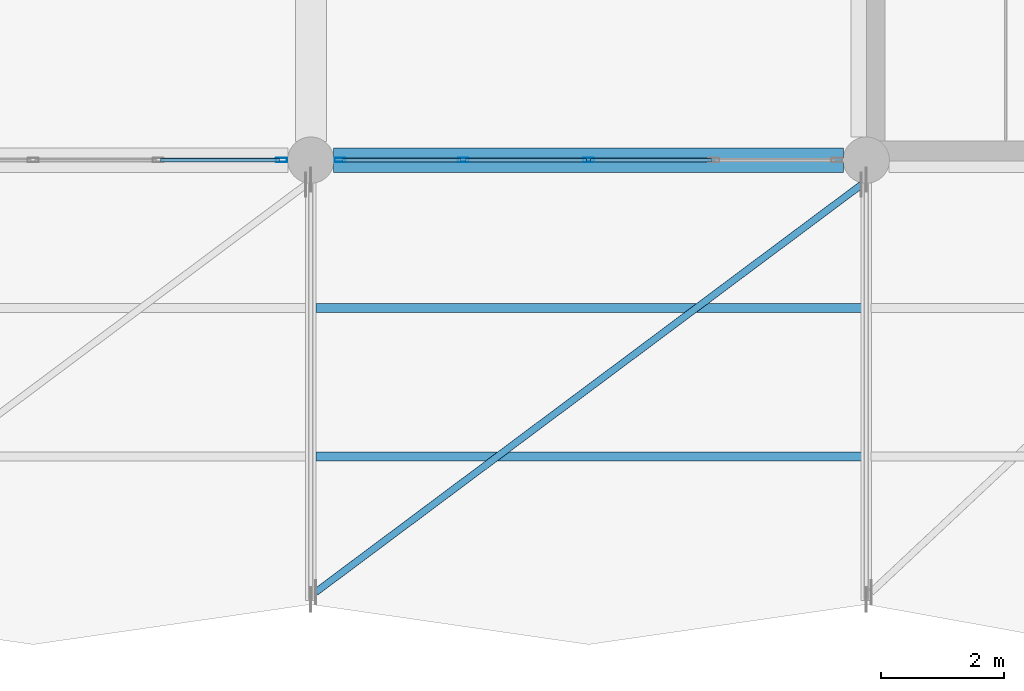
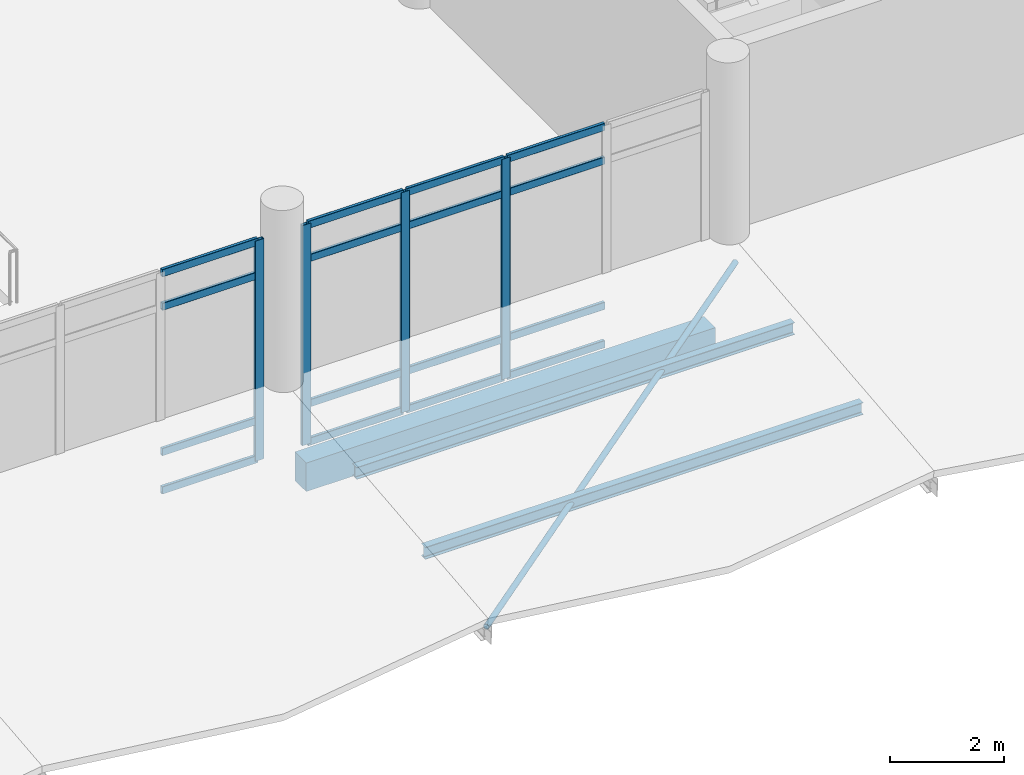
# One storey, part 39 of 180: 21 members, 3 beams, 2 elements without a shape of their own.
"""IFC4 building model written with IfcOpenShell, lengths in metres."""

from ifc_helpers import new_model, si_unit, direction, frame, origin, origin_2d, place, context, subcontext, project, spatial, rectangle, hollow_rectangle, hollow_circle, i_section, extrude, material, material_profile, profile_set, type_object, element, aggregate, save


model = new_model("IFC4")

# Units and contexts
model_context = context("Model", 3, precision=1e-05, world=origin(), true_north=direction((0.0, 1.0)))
body_context = subcontext(model_context, "Body", "Model", "MODEL_VIEW")
ifc_project = project(units=[si_unit("LENGTHUNIT", "METRE"), si_unit("AREAUNIT", "SQUARE_METRE"), si_unit("VOLUMEUNIT", "CUBIC_METRE"), si_unit("PLANEANGLEUNIT", "RADIAN"), si_unit("MASSUNIT", "GRAM", prefix="KILO")], contexts=[model_context])

# Site, building, storey
site_placement = place(None, origin())
site = spatial("IfcSite", under=ifc_project, at=site_placement, CompositionType="ELEMENT")
building_placement = place(site_placement, origin())
building = spatial("IfcBuilding", under=site, at=building_placement, Name="Lusvemor Sports Hall", CompositionType="ELEMENT")
storey_placement = place(building_placement, frame((0.0, 0.0, 5.39990234375)))
storey = spatial("IfcBuildingStorey", under=building, at=storey_placement, Name="L01", CompositionType="ELEMENT", Elevation=5.39990234375)

# Member
ifc_material_1 = material(Name="Steel S355", Category="steel")
ifc_material_profile_1 = material_profile(ifc_material_1, hollow_circle(Radius=0.05712890625, WallThickness=0.00634765625, at=origin_2d()), Name="CHS114.3x6.3")
ifc_profile_set_1 = profile_set([ifc_material_profile_1], Name="Steel S355")
member_type_1 = type_object("IfcMemberType", Name="BRACE_CANOPY_114", PredefinedType="BRACE", material=ifc_profile_set_1)
member_1_placement = place(storey_placement, frame((102.679931640625, 0.199951171875, 0.4736328125), z_axis=(0.799750589505, 0.597101754721, 0.062197179156), x_axis=(-0.59826005728, 0.801302005403, 0.0)))
element("IfcMember", 1, at=member_1_placement, inside=storey, type_object=member_type_1, Name="Canopy Wind Brace 11", PredefinedType="BRACE", context=body_context, shape_type="SweptSolid", body=[
    extrude(hollow_circle(Radius=0.05712890625, WallThickness=0.00634765625, at=origin_2d()), origin(), (0.0, 0.0, 1.0), 11.053466796875),
])

# Curtain wall, member
ifc_material_2 = material(Name="Thermally broken bronze-anodized aluminium", Category="aluminium")
curtain_wall_type = type_object("IfcCurtainWallType", Name="CW_FOYER_A", PredefinedType="NOTDEFINED", material=ifc_material_2)
curtain_wall_1_placement = place(storey_placement, origin())
curtain_wall_1 = element("IfcCurtainWall", 2, at=curtain_wall_1_placement, inside=storey, type_object=curtain_wall_type, Name="Curtain Wall CW-V4S-L01-2", PredefinedType="NOTDEFINED")
ifc_material_3 = material(Name="Thermally broken bronze-anodized aluminium", Category="aluminium")
ifc_material_profile_2 = material_profile(ifc_material_3, hollow_rectangle(XDim=0.070068359375, YDim=0.179931640625, WallThickness=0.0048828125, InnerFilletRadius=0.0048828125, OuterFilletRadius=0.010009765625, at=origin_2d()), Name="CWMUL180x70x5")
ifc_profile_set_2 = profile_set([ifc_material_profile_2], Name="Thermally broken bronze-anodized aluminium")
member_type_2 = type_object("IfcMemberType", Name="CW_MUL_A", PredefinedType="MULLION", material=ifc_profile_set_2)
member_2_placement = place(storey_placement, frame((102.125, 7.199951171875, 0.0), z_axis=(0.0, 0.0, 1.0), x_axis=(0.0, -1.0, 0.0)))
member_2 = element("IfcMember", 3, at=member_2_placement, type_object=member_type_2, Name="CW01 mullion 1", PredefinedType="MULLION", context=body_context, shape_type="SweptSolid", body=[
    extrude(hollow_rectangle(XDim=0.070068359375, YDim=0.179931640625, WallThickness=0.0048828125, InnerFilletRadius=0.0048828125, OuterFilletRadius=0.010009765625, at=origin_2d()), origin(), (0.0, 0.0, 1.0), 4.7001953125),
])

# Curtain wall, members
curtain_wall_2_placement = place(storey_placement, origin())
curtain_wall_2 = element("IfcCurtainWall", 4, at=curtain_wall_2_placement, inside=storey, type_object=curtain_wall_type, Name="Curtain Wall CW-V4S-L01-3", PredefinedType="NOTDEFINED")
member_3_placement = place(storey_placement, frame((107.10009765625, 7.199951171875, 0.0), z_axis=(0.0, 0.0, 1.0), x_axis=(0.0, -1.0, 0.0)))
member_3 = element("IfcMember", 5, at=member_3_placement, type_object=member_type_2, Name="CW01 mullion 3", PredefinedType="MULLION", context=body_context, shape_type="SweptSolid", body=[
    extrude(hollow_rectangle(XDim=0.070068359375, YDim=0.179931640625, WallThickness=0.0048828125, InnerFilletRadius=0.0048828125, OuterFilletRadius=0.010009765625, at=origin_2d()), origin(), (0.0, 0.0, 1.0), 4.7001953125),
])
member_4_placement = place(storey_placement, frame((105.070068359375, 7.199951171875, 0.0), z_axis=(0.0, 0.0, 1.0), x_axis=(0.0, -1.0, 0.0)))
member_4 = element("IfcMember", 6, at=member_4_placement, type_object=member_type_2, Name="CW01 mullion 4", PredefinedType="MULLION", context=body_context, shape_type="SweptSolid", body=[
    extrude(hollow_rectangle(XDim=0.070068359375, YDim=0.179931640625, WallThickness=0.0048828125, InnerFilletRadius=0.0048828125, OuterFilletRadius=0.010009765625, at=origin_2d()), origin(), (0.0, 0.0, 1.0), 4.7001953125),
])
member_5_placement = place(storey_placement, frame((103.074951171875, 7.199951171875, 0.0), z_axis=(0.0, 0.0, 1.0), x_axis=(0.0, -1.0, 0.0)))
member_5 = element("IfcMember", 7, at=member_5_placement, type_object=member_type_2, Name="CW01 mullion 5", PredefinedType="MULLION", context=body_context, shape_type="SweptSolid", body=[
    extrude(hollow_rectangle(XDim=0.070068359375, YDim=0.179931640625, WallThickness=0.0048828125, InnerFilletRadius=0.0048828125, OuterFilletRadius=0.010009765625, at=origin_2d()), origin(), (0.0, 0.0, 1.0), 4.7001953125),
])

# Member
ifc_material_4 = material(Name="Thermally broken bronze-anodized aluminium", Category="aluminium")
ifc_material_profile_3 = material_profile(ifc_material_4, hollow_rectangle(XDim=0.06494140625, YDim=0.159912109375, WallThickness=0.00390625, InnerFilletRadius=0.00390625, OuterFilletRadius=0.008056640625, at=origin_2d()), Name="CWTRN160x65x4")
ifc_profile_set_3 = profile_set([ifc_material_profile_3], Name="Thermally broken bronze-anodized aluminium")
member_type_3 = type_object("IfcMemberType", Name="CW_TRN_A", PredefinedType="USERDEFINED", material=ifc_profile_set_3)
member_6_placement = place(storey_placement, frame((102.090087890625, 7.199951171875, 0.03271484375), z_axis=(-1.0, 0.0, 0.0), x_axis=(0.0, -1.0, 0.0)))
member_6 = element("IfcMember", 8, at=member_6_placement, type_object=member_type_3, Name="CW01 transom 1.1", ObjectType="TRANSOM", PredefinedType="USERDEFINED", context=body_context, shape_type="SweptSolid", body=[
    extrude(hollow_rectangle(XDim=0.06494140625, YDim=0.159912109375, WallThickness=0.00390625, InnerFilletRadius=0.00390625, OuterFilletRadius=0.008056640625, at=origin_2d()), origin(), (0.0, 0.0, 1.0), 1.925048828125),
])

member_7_placement = place(storey_placement, frame((102.090087890625, 7.199951171875, 0.85009765625), z_axis=(-1.0, 0.0, 0.0), x_axis=(0.0, -1.0, 0.0)))
member_7 = element("IfcMember", 9, at=member_7_placement, type_object=member_type_3, Name="CW01 transom 1.2", ObjectType="TRANSOM", PredefinedType="USERDEFINED", context=body_context, shape_type="SweptSolid", body=[
    extrude(hollow_rectangle(XDim=0.06494140625, YDim=0.159912109375, WallThickness=0.00390625, InnerFilletRadius=0.00390625, OuterFilletRadius=0.008056640625, at=origin_2d()), origin(), (0.0, 0.0, 1.0), 1.925048828125),
])

member_8_placement = place(storey_placement, frame((102.090087890625, 7.199951171875, 3.9501953125), z_axis=(-1.0, 0.0, 0.0), x_axis=(0.0, -1.0, 0.0)))
member_8 = element("IfcMember", 10, at=member_8_placement, type_object=member_type_3, Name="CW01 transom 1.3", ObjectType="TRANSOM", PredefinedType="USERDEFINED", context=body_context, shape_type="SweptSolid", body=[
    extrude(hollow_rectangle(XDim=0.06494140625, YDim=0.159912109375, WallThickness=0.00390625, InnerFilletRadius=0.00390625, OuterFilletRadius=0.008056640625, at=origin_2d()), origin(), (0.0, 0.0, 1.0), 1.925048828125),
])

member_9_placement = place(storey_placement, frame((102.090087890625, 7.199951171875, 4.66748046875), z_axis=(-1.0, 0.0, 0.0), x_axis=(0.0, -1.0, 0.0)))
member_9 = element("IfcMember", 11, at=member_9_placement, type_object=member_type_3, Name="CW01 transom 1.4", ObjectType="TRANSOM", PredefinedType="USERDEFINED", context=body_context, shape_type="SweptSolid", body=[
    extrude(hollow_rectangle(XDim=0.06494140625, YDim=0.159912109375, WallThickness=0.00390625, InnerFilletRadius=0.00390625, OuterFilletRadius=0.008056640625, at=origin_2d()), origin(), (0.0, 0.0, 1.0), 1.925048828125),
])

aggregate(curtain_wall_1, [member_2, member_6, member_7, member_8, member_9])

member_10_placement = place(storey_placement, frame((109.094970703125, 7.199951171875, 0.03271484375), z_axis=(-1.0, 0.0, 0.0), x_axis=(0.0, -1.0, 0.0)))
member_10 = element("IfcMember", 12, at=member_10_placement, type_object=member_type_3, Name="CW01 transom 2.1", ObjectType="TRANSOM", PredefinedType="USERDEFINED", context=body_context, shape_type="SweptSolid", body=[
    extrude(hollow_rectangle(XDim=0.06494140625, YDim=0.159912109375, WallThickness=0.00390625, InnerFilletRadius=0.00390625, OuterFilletRadius=0.008056640625, at=origin_2d()), origin(), (0.0, 0.0, 1.0), 1.9599609375),
])

member_11_placement = place(storey_placement, frame((109.094970703125, 7.199951171875, 0.85009765625), z_axis=(-1.0, 0.0, 0.0), x_axis=(0.0, -1.0, 0.0)))
member_11 = element("IfcMember", 13, at=member_11_placement, type_object=member_type_3, Name="CW01 transom 2.2", ObjectType="TRANSOM", PredefinedType="USERDEFINED", context=body_context, shape_type="SweptSolid", body=[
    extrude(hollow_rectangle(XDim=0.06494140625, YDim=0.159912109375, WallThickness=0.00390625, InnerFilletRadius=0.00390625, OuterFilletRadius=0.008056640625, at=origin_2d()), origin(), (0.0, 0.0, 1.0), 1.9599609375),
])

member_12_placement = place(storey_placement, frame((109.094970703125, 7.199951171875, 3.9501953125), z_axis=(-1.0, 0.0, 0.0), x_axis=(0.0, -1.0, 0.0)))
member_12 = element("IfcMember", 14, at=member_12_placement, type_object=member_type_3, Name="CW01 transom 2.3", ObjectType="TRANSOM", PredefinedType="USERDEFINED", context=body_context, shape_type="SweptSolid", body=[
    extrude(hollow_rectangle(XDim=0.06494140625, YDim=0.159912109375, WallThickness=0.00390625, InnerFilletRadius=0.00390625, OuterFilletRadius=0.008056640625, at=origin_2d()), origin(), (0.0, 0.0, 1.0), 1.9599609375),
])

member_13_placement = place(storey_placement, frame((109.094970703125, 7.199951171875, 4.66748046875), z_axis=(-1.0, 0.0, 0.0), x_axis=(0.0, -1.0, 0.0)))
member_13 = element("IfcMember", 15, at=member_13_placement, type_object=member_type_3, Name="CW01 transom 2.4", ObjectType="TRANSOM", PredefinedType="USERDEFINED", context=body_context, shape_type="SweptSolid", body=[
    extrude(hollow_rectangle(XDim=0.06494140625, YDim=0.159912109375, WallThickness=0.00390625, InnerFilletRadius=0.00390625, OuterFilletRadius=0.008056640625, at=origin_2d()), origin(), (0.0, 0.0, 1.0), 1.9599609375),
])

member_14_placement = place(storey_placement, frame((107.06494140625, 7.199951171875, 0.03271484375), z_axis=(-1.0, 0.0, 0.0), x_axis=(0.0, -1.0, 0.0)))
member_14 = element("IfcMember", 16, at=member_14_placement, type_object=member_type_3, Name="CW01 transom 3.1", ObjectType="TRANSOM", PredefinedType="USERDEFINED", context=body_context, shape_type="SweptSolid", body=[
    extrude(hollow_rectangle(XDim=0.06494140625, YDim=0.159912109375, WallThickness=0.00390625, InnerFilletRadius=0.00390625, OuterFilletRadius=0.008056640625, at=origin_2d()), origin(), (0.0, 0.0, 1.0), 1.9599609375),
])

member_15_placement = place(storey_placement, frame((107.06494140625, 7.199951171875, 0.85009765625), z_axis=(-1.0, 0.0, 0.0), x_axis=(0.0, -1.0, 0.0)))
member_15 = element("IfcMember", 17, at=member_15_placement, type_object=member_type_3, Name="CW01 transom 3.2", ObjectType="TRANSOM", PredefinedType="USERDEFINED", context=body_context, shape_type="SweptSolid", body=[
    extrude(hollow_rectangle(XDim=0.06494140625, YDim=0.159912109375, WallThickness=0.00390625, InnerFilletRadius=0.00390625, OuterFilletRadius=0.008056640625, at=origin_2d()), origin(), (0.0, 0.0, 1.0), 1.9599609375),
])

member_16_placement = place(storey_placement, frame((107.06494140625, 7.199951171875, 3.9501953125), z_axis=(-1.0, 0.0, 0.0), x_axis=(0.0, -1.0, 0.0)))
member_16 = element("IfcMember", 18, at=member_16_placement, type_object=member_type_3, Name="CW01 transom 3.3", ObjectType="TRANSOM", PredefinedType="USERDEFINED", context=body_context, shape_type="SweptSolid", body=[
    extrude(hollow_rectangle(XDim=0.06494140625, YDim=0.159912109375, WallThickness=0.00390625, InnerFilletRadius=0.00390625, OuterFilletRadius=0.008056640625, at=origin_2d()), origin(), (0.0, 0.0, 1.0), 1.9599609375),
])

member_17_placement = place(storey_placement, frame((107.06494140625, 7.199951171875, 4.66748046875), z_axis=(-1.0, 0.0, 0.0), x_axis=(0.0, -1.0, 0.0)))
member_17 = element("IfcMember", 19, at=member_17_placement, type_object=member_type_3, Name="CW01 transom 3.4", ObjectType="TRANSOM", PredefinedType="USERDEFINED", context=body_context, shape_type="SweptSolid", body=[
    extrude(hollow_rectangle(XDim=0.06494140625, YDim=0.159912109375, WallThickness=0.00390625, InnerFilletRadius=0.00390625, OuterFilletRadius=0.008056640625, at=origin_2d()), origin(), (0.0, 0.0, 1.0), 1.9599609375),
])

member_18_placement = place(storey_placement, frame((105.034912109375, 7.199951171875, 0.03271484375), z_axis=(-1.0, 0.0, 0.0), x_axis=(0.0, -1.0, 0.0)))
member_18 = element("IfcMember", 20, at=member_18_placement, type_object=member_type_3, Name="CW01 transom 4.1", ObjectType="TRANSOM", PredefinedType="USERDEFINED", context=body_context, shape_type="SweptSolid", body=[
    extrude(hollow_rectangle(XDim=0.06494140625, YDim=0.159912109375, WallThickness=0.00390625, InnerFilletRadius=0.00390625, OuterFilletRadius=0.008056640625, at=origin_2d()), origin(), (0.0, 0.0, 1.0), 1.9248046875),
])

member_19_placement = place(storey_placement, frame((105.034912109375, 7.199951171875, 0.85009765625), z_axis=(-1.0, 0.0, 0.0), x_axis=(0.0, -1.0, 0.0)))
member_19 = element("IfcMember", 21, at=member_19_placement, type_object=member_type_3, Name="CW01 transom 4.2", ObjectType="TRANSOM", PredefinedType="USERDEFINED", context=body_context, shape_type="SweptSolid", body=[
    extrude(hollow_rectangle(XDim=0.06494140625, YDim=0.159912109375, WallThickness=0.00390625, InnerFilletRadius=0.00390625, OuterFilletRadius=0.008056640625, at=origin_2d()), origin(), (0.0, 0.0, 1.0), 1.9248046875),
])

member_20_placement = place(storey_placement, frame((105.034912109375, 7.199951171875, 3.9501953125), z_axis=(-1.0, 0.0, 0.0), x_axis=(0.0, -1.0, 0.0)))
member_20 = element("IfcMember", 22, at=member_20_placement, type_object=member_type_3, Name="CW01 transom 4.3", ObjectType="TRANSOM", PredefinedType="USERDEFINED", context=body_context, shape_type="SweptSolid", body=[
    extrude(hollow_rectangle(XDim=0.06494140625, YDim=0.159912109375, WallThickness=0.00390625, InnerFilletRadius=0.00390625, OuterFilletRadius=0.008056640625, at=origin_2d()), origin(), (0.0, 0.0, 1.0), 1.9248046875),
])

member_21_placement = place(storey_placement, frame((105.034912109375, 7.199951171875, 4.66748046875), z_axis=(-1.0, 0.0, 0.0), x_axis=(0.0, -1.0, 0.0)))
member_21 = element("IfcMember", 23, at=member_21_placement, type_object=member_type_3, Name="CW01 transom 4.4", ObjectType="TRANSOM", PredefinedType="USERDEFINED", context=body_context, shape_type="SweptSolid", body=[
    extrude(hollow_rectangle(XDim=0.06494140625, YDim=0.159912109375, WallThickness=0.00390625, InnerFilletRadius=0.00390625, OuterFilletRadius=0.008056640625, at=origin_2d()), origin(), (0.0, 0.0, 1.0), 1.9248046875),
])

aggregate(curtain_wall_2, [member_3, member_4, member_5, member_10, member_11, member_12, member_13, member_14, member_15, member_16, member_17, member_18, member_19, member_20, member_21])

# Beams
ifc_material_5 = material(Name="Steel S355", Category="steel")
ifc_material_profile_4 = material_profile(ifc_material_5, i_section(OverallWidth=0.14599609375, OverallDepth=0.258056640625, WebThickness=0.006103515625, FlangeThickness=0.009033203125, FilletRadius=0.012939453125, at=origin_2d()), Name="W250x32.7")
ifc_profile_set_4 = profile_set([ifc_material_profile_4], Name="Steel S355")
beam_type_1 = type_object("IfcBeamType", Name="JOIST_CANOPY", PredefinedType="JOIST", material=ifc_profile_set_4)
for number, where, z_axis, x_axis, name in (
    (24, (102.679931640625, 2.39990234375, 0.74658203125), (1.0, 0.0, 0.0), (0.0, 1.0, 0.0), "Canopy Purlin Joist 11-1"),
    (25, (102.679931640625, 4.800048828125, 0.99658203125), (1.0, 0.0, 0.0), (0.0, 1.0, 0.0), "Canopy Purlin Joist 11-2"),
):
    element("IfcBeam", number, at=place(storey_placement, frame(where, z_axis=z_axis, x_axis=x_axis)), inside=storey, type_object=beam_type_1, Name=name, PredefinedType="JOIST", context=body_context, shape_type="SweptSolid", body=[
        extrude(i_section(OverallWidth=0.14599609375, OverallDepth=0.258056640625, WebThickness=0.006103515625, FlangeThickness=0.009033203125, FilletRadius=0.012939453125, at=origin_2d()), origin(), (0.0, 0.0, 1.0), 8.840087890625),
    ])
ifc_material_6 = material(Name="Concrete C40/50", Category="concrete")
ifc_material_profile_5 = material_profile(ifc_material_6, rectangle(XDim=0.39990234375, YDim=0.610107421875, at=origin_2d()), Name="RC400x610")
ifc_profile_set_5 = profile_set([ifc_material_profile_5], Name="Concrete C40/50")
beam_type_2 = type_object("IfcBeamType", Name="SPAND_EXT_650", PredefinedType="SPANDREL", material=ifc_profile_set_5)
beam_placement = place(storey_placement, frame((102.970947265625, 7.199951171875, -0.56494140625), z_axis=(1.0, 0.0, 0.0), x_axis=(0.0, 1.0, 0.0)))
element("IfcBeam", 26, at=beam_placement, inside=storey, type_object=beam_type_2, Name="Beam L01 B:11-12", PredefinedType="SPANDREL", context=body_context, shape_type="SweptSolid", body=[
    extrude(rectangle(XDim=0.39990234375, YDim=0.610107421875, at=origin_2d()), origin(), (0.0, 0.0, 1.0), 8.258056640625),
])

save(model, "model.ifc")
